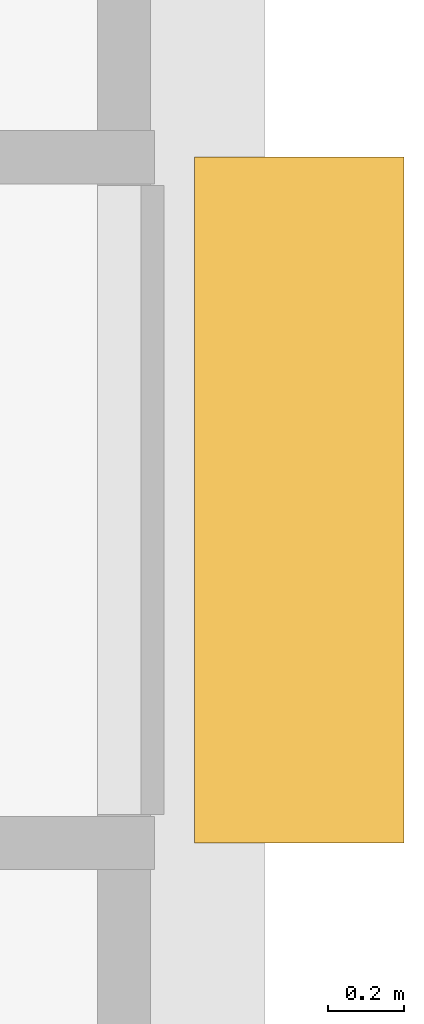
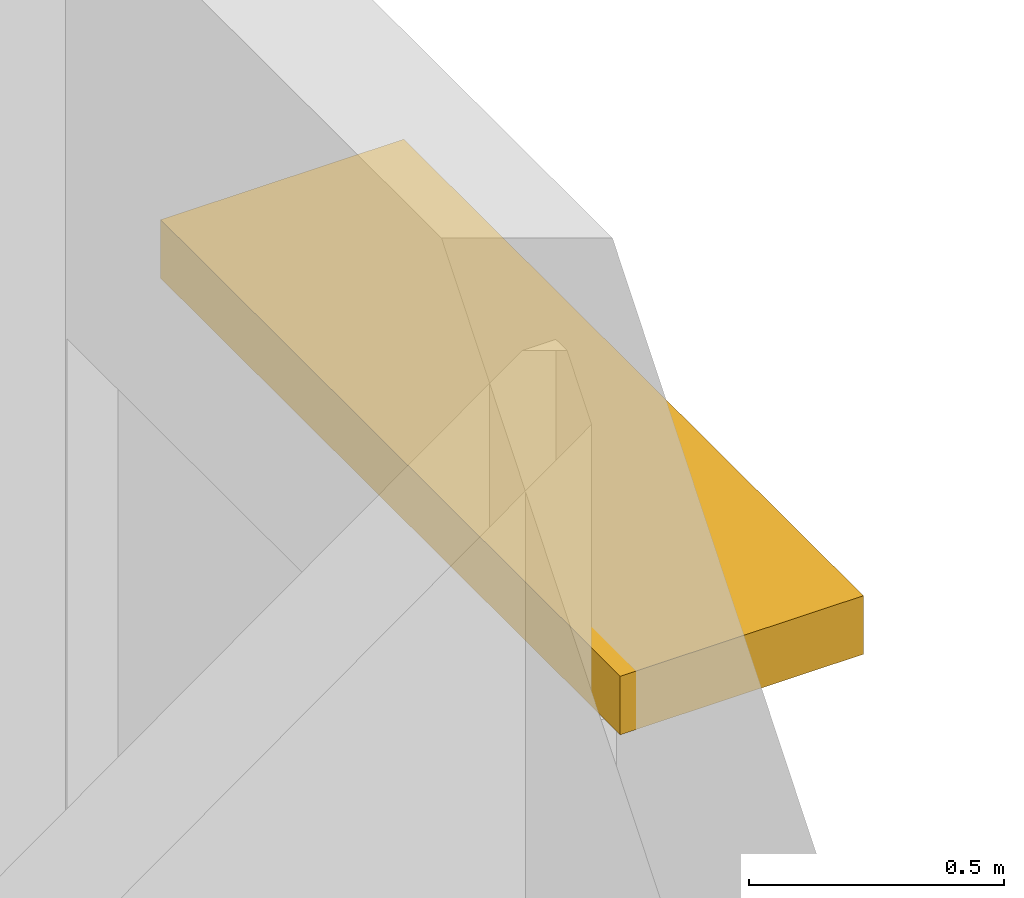
# One storey, part 85 of 85: 1 shading device.
"""IFC4 building model written with IfcOpenShell, lengths in metres."""

from ifc_helpers import new_model, si_unit, direction, frame, origin, origin_2d, place, context, subcontext, project, spatial, rectangle, extrude, material, type_object, element, save


model = new_model("IFC4")

# Units and contexts
model_context = context("Model", 3, precision=1e-05, world=origin(), true_north=direction((0.0, 1.0)))
body_context = subcontext(model_context, "Body", "Model", "MODEL_VIEW")
ifc_project = project(units=[si_unit("LENGTHUNIT", "METRE"), si_unit("AREAUNIT", "SQUARE_METRE"), si_unit("VOLUMEUNIT", "CUBIC_METRE"), si_unit("PLANEANGLEUNIT", "RADIAN"), si_unit("MASSUNIT", "GRAM", prefix="KILO")], contexts=[model_context])

# Site, building, storey
site_placement = place(None, origin())
site = spatial("IfcSite", under=ifc_project, at=site_placement, CompositionType="ELEMENT")
building_placement = place(site_placement, origin())
building = spatial("IfcBuilding", under=site, at=building_placement, Name="Ochrevale Crest", CompositionType="ELEMENT")
storey_placement = place(building_placement, origin())
storey = spatial("IfcBuildingStorey", under=building, at=storey_placement, Name="L00", CompositionType="ELEMENT", Elevation=0.0)

# Shading device
ifc_material = material(Name="Anodised aluminium 6063-T5", Category="aluminium")
shading_device_type = type_object("IfcShadingDeviceType", Name="SHD-SUNSHADE-OC", PredefinedType="USERDEFINED", material=ifc_material)
shading_device_placement = place(storey_placement, frame((165.840087890625, 82.800048828125, 2.2099609375), z_axis=(0.0, 0.0, 1.0), x_axis=(1.0, 0.0, 0.0)))
element("IfcShadingDevice", 1, at=shading_device_placement, inside=storey, type_object=shading_device_type, Name="Block D L00 gable window sunshade E", ObjectType="HORIZONTAL SUNSHADE", PredefinedType="USERDEFINED", context=body_context, shape_type="SweptSolid", body=[
    extrude(rectangle(XDim=0.550048828125, YDim=1.800048828125, at=origin_2d()), origin(), (0.0, 0.0, 1.0), 0.139892578125),
])

save(model, "model.ifc")
